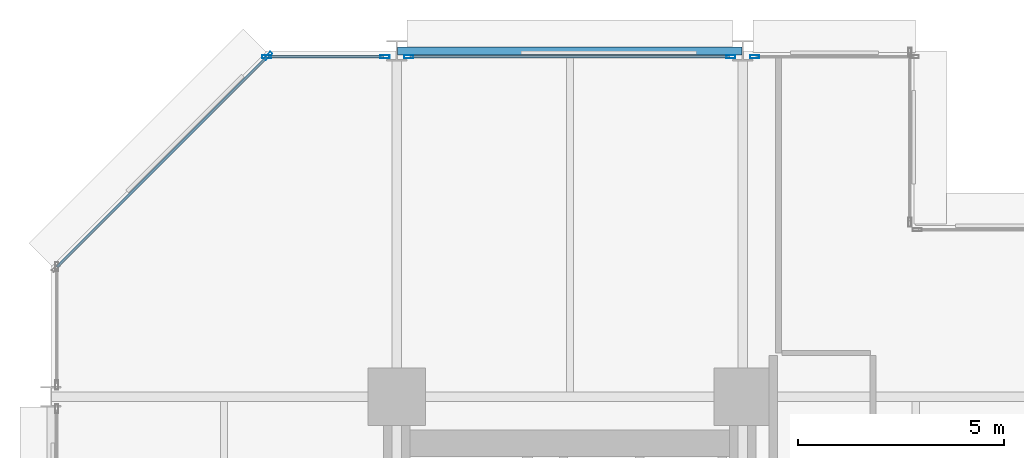
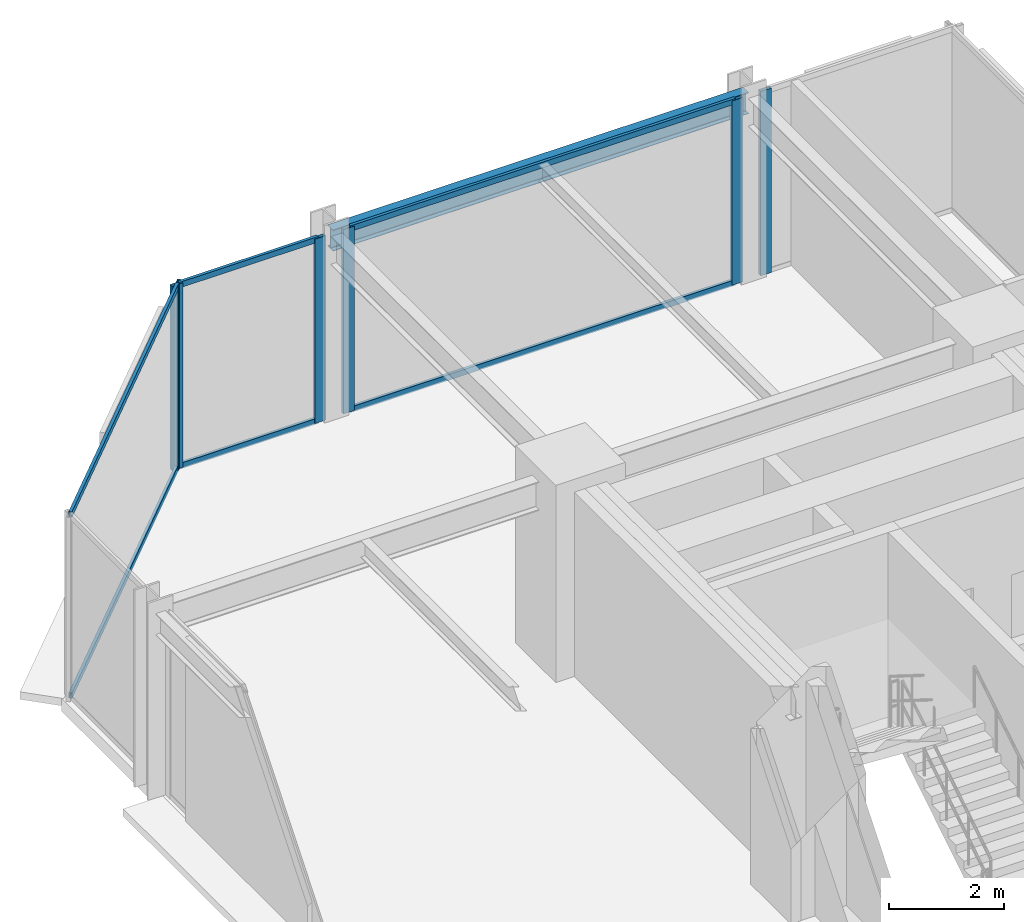
# One storey, part 17 of 25: 12 members, 1 beam, 4 elements without a shape of their own.
"""IFC4 building model written with IfcOpenShell, lengths in metres."""

from ifc_helpers import new_model, si_unit, direction, frame, origin, origin_2d, place, context, subcontext, project, spatial, hollow_rectangle, i_section, extrude, material, layer, layer_set, material_profile, profile_set, type_object, element, aggregate, save


model = new_model("IFC4")

# Units and contexts
model_context = context("Model", 3, precision=1e-05, world=origin(), true_north=direction((0.0, 1.0)))
body_context = subcontext(model_context, "Body", "Model", "MODEL_VIEW")
ifc_project = project(units=[si_unit("LENGTHUNIT", "METRE"), si_unit("AREAUNIT", "SQUARE_METRE"), si_unit("VOLUMEUNIT", "CUBIC_METRE"), si_unit("PLANEANGLEUNIT", "RADIAN"), si_unit("MASSUNIT", "GRAM", prefix="KILO")], contexts=[model_context])

# Site, building, storey
site_placement = place(None, origin())
site = spatial("IfcSite", under=ifc_project, at=site_placement, CompositionType="ELEMENT")
building_placement = place(site_placement, origin())
building = spatial("IfcBuilding", under=site, at=building_placement, Name="Nerrivon Quay Data Exchange", CompositionType="ELEMENT")
storey_placement = place(building_placement, frame((0.0, 0.0, 41.60009765625)))
storey = spatial("IfcBuildingStorey", under=building, at=storey_placement, Name="L09", CompositionType="ELEMENT", Elevation=41.60009765625)

# Beam
ifc_material_1 = material(Name="Steel Grade 350", Category="steel")
ifc_material_profile_1 = material_profile(ifc_material_1, i_section(OverallWidth=0.18994140625, OverallDepth=0.4541015625, WebThickness=0.008544921875, FlangeThickness=0.0126953125, FilletRadius=0.011474609375, at=origin_2d()), Name="460UB67.1")
ifc_profile_set_1 = profile_set([ifc_material_profile_1], Name="Steel Grade 350")
beam_type = type_object("IfcBeamType", Name="BM-SP1-460UB67", PredefinedType="SPANDREL", material=ifc_profile_set_1)
beam_placement = place(storey_placement, frame((8.4140625, 50.39990234375, 3.697998046875), z_axis=(1.0, 0.0, 0.0), x_axis=(0.0, 1.0, 0.0)))
element("IfcBeam", 1, at=beam_placement, inside=storey, type_object=beam_type, Name="L09 EW Girder Y=50.4 (8.4..16.8)", PredefinedType="SPANDREL", context=body_context, shape_type="SweptSolid", body=[
    extrude(i_section(OverallWidth=0.18994140625, OverallDepth=0.4541015625, WebThickness=0.008544921875, FlangeThickness=0.0126953125, FilletRadius=0.011474609375, at=origin_2d()), origin(), (0.0, 0.0, 1.0), 8.371826171875),
])

# Curtain wall, member
ifc_material_2 = material(Name="Anodised aluminium 6063-T6", Category="aluminium")
ifc_layer = layer(ifc_material_2, 0.219970703125)
ifc_layer_set = layer_set([ifc_layer], Name="Anodised aluminium 6063-T6")
curtain_wall_type = type_object("IfcCurtainWallType", Name="CW-SYS-01", PredefinedType="NOTDEFINED", material=ifc_layer_set)
curtain_wall_1_placement = place(storey_placement, origin())
curtain_wall_1 = element("IfcCurtainWall", 2, at=curtain_wall_1_placement, inside=storey, type_object=curtain_wall_type, Name="L09 Unitised Curtain Wall 19", PredefinedType="NOTDEFINED")
ifc_material_profile_2 = material_profile(ifc_material_2, hollow_rectangle(XDim=0.074951171875, YDim=0.219970703125, WallThickness=0.00390625, at=origin_2d()), Name="ALU-MULL-220x75")
ifc_profile_set_2 = profile_set([ifc_material_profile_2], Name="Anodised aluminium 6063-T6")
member_type_1 = type_object("IfcMemberType", Name="CWM-220x75", PredefinedType="MULLION", material=ifc_profile_set_2)
member_1_placement = place(storey_placement, frame((5.2724609375, 50.2744140625, 0.0), z_axis=(0.0, 0.0, 1.0), x_axis=(-0.707106781187, 0.707106781187, 0.0)))
member_1 = element("IfcMember", 3, at=member_1_placement, type_object=member_type_1, Name="CW01 mullion 2", PredefinedType="MULLION", context=body_context, shape_type="SweptSolid", body=[
    extrude(hollow_rectangle(XDim=0.074951171875, YDim=0.219970703125, WallThickness=0.00390625, at=origin_2d()), origin(), (0.0, 0.0, 1.0), 3.9248046875),
])

# Curtain wall, members
curtain_wall_2_placement = place(storey_placement, origin())
curtain_wall_2 = element("IfcCurtainWall", 4, at=curtain_wall_2_placement, inside=storey, type_object=curtain_wall_type, Name="L09 Unitised Curtain Wall 20", PredefinedType="NOTDEFINED")
member_2_placement = place(storey_placement, frame((5.237548828125, 50.260009765625, 0.0), z_axis=(0.0, 0.0, 1.0), x_axis=(0.0, 1.0, 0.0)))
member_2 = element("IfcMember", 5, at=member_2_placement, type_object=member_type_1, Name="CW01 mullion 1", PredefinedType="MULLION", context=body_context, shape_type="SweptSolid", body=[
    extrude(hollow_rectangle(XDim=0.074951171875, YDim=0.219970703125, WallThickness=0.00390625, at=origin_2d()), origin(), (0.0, 0.0, 1.0), 3.9248046875),
])
member_3_placement = place(storey_placement, frame((8.112548828125, 50.260009765625, 0.0), z_axis=(0.0, 0.0, 1.0), x_axis=(0.0, 1.0, 0.0)))
member_3 = element("IfcMember", 6, at=member_3_placement, type_object=member_type_1, Name="CW01 mullion 2", PredefinedType="MULLION", context=body_context, shape_type="SweptSolid", body=[
    extrude(hollow_rectangle(XDim=0.074951171875, YDim=0.219970703125, WallThickness=0.00390625, at=origin_2d()), origin(), (0.0, 0.0, 1.0), 3.9248046875),
])

curtain_wall_3_placement = place(storey_placement, origin())
curtain_wall_3 = element("IfcCurtainWall", 7, at=curtain_wall_3_placement, inside=storey, type_object=curtain_wall_type, Name="L09 Unitised Curtain Wall 21", PredefinedType="NOTDEFINED")
member_4_placement = place(storey_placement, frame((8.6875, 50.260009765625, 0.0), z_axis=(0.0, 0.0, 1.0), x_axis=(0.0, 1.0, 0.0)))
member_4 = element("IfcMember", 8, at=member_4_placement, type_object=member_type_1, Name="CW01 mullion 1", PredefinedType="MULLION", context=body_context, shape_type="SweptSolid", body=[
    extrude(hollow_rectangle(XDim=0.074951171875, YDim=0.219970703125, WallThickness=0.00390625, at=origin_2d()), origin(), (0.0, 0.0, 1.0), 3.9248046875),
])
member_5_placement = place(storey_placement, frame((16.512451171875, 50.260009765625, 0.0), z_axis=(0.0, 0.0, 1.0), x_axis=(0.0, 1.0, 0.0)))
member_5 = element("IfcMember", 9, at=member_5_placement, type_object=member_type_1, Name="CW01 mullion 2", PredefinedType="MULLION", context=body_context, shape_type="SweptSolid", body=[
    extrude(hollow_rectangle(XDim=0.074951171875, YDim=0.219970703125, WallThickness=0.00390625, at=origin_2d()), origin(), (0.0, 0.0, 1.0), 3.9248046875),
])

# Curtain wall, member
curtain_wall_4_placement = place(storey_placement, origin())
curtain_wall_4 = element("IfcCurtainWall", 10, at=curtain_wall_4_placement, inside=storey, type_object=curtain_wall_type, Name="L09 Unitised Curtain Wall 22", PredefinedType="NOTDEFINED")
member_6_placement = place(storey_placement, frame((17.08740234375, 50.260009765625, 0.0), z_axis=(0.0, 0.0, 1.0), x_axis=(0.0, 1.0, 0.0)))
member_6 = element("IfcMember", 11, at=member_6_placement, type_object=member_type_1, Name="CW01 mullion 1", PredefinedType="MULLION", context=body_context, shape_type="SweptSolid", body=[
    extrude(hollow_rectangle(XDim=0.074951171875, YDim=0.219970703125, WallThickness=0.00390625, at=origin_2d()), origin(), (0.0, 0.0, 1.0), 3.9248046875),
])
aggregate(curtain_wall_4, [member_6])

# Member
ifc_material_profile_3 = material_profile(ifc_material_2, hollow_rectangle(XDim=0.06005859375, YDim=0.1201171875, WallThickness=0.003173828125, at=origin_2d()), Name="ALU-TRAN-120x60")
ifc_profile_set_3 = profile_set([ifc_material_profile_3], Name="Anodised aluminium 6063-T6")
member_type_2 = type_object("IfcMemberType", Name="CWT-120x60", PredefinedType="USERDEFINED", material=ifc_profile_set_3)
member_7_placement = place(storey_placement, frame((0.152099609375, 45.154052734375, 0.032470703125), z_axis=(0.707089835771, 0.707123726196, 0.0), x_axis=(-0.707123726196, 0.707089835771, 0.0)))
member_7 = element("IfcMember", 12, at=member_7_placement, type_object=member_type_2, Name="CW01 transom 1.1", ObjectType="TRANSOM", PredefinedType="USERDEFINED", context=body_context, shape_type="SweptSolid", body=[
    extrude(hollow_rectangle(XDim=0.06005859375, YDim=0.1201171875, WallThickness=0.003173828125, at=origin_2d()), origin(), (0.0, 0.0, 1.0), 7.203857421875),
])

member_8_placement = place(storey_placement, frame((0.152099609375, 45.154052734375, 3.892333984375), z_axis=(0.707089835771, 0.707123726196, 0.0), x_axis=(-0.707123726196, 0.707089835771, 0.0)))
member_8 = element("IfcMember", 13, at=member_8_placement, type_object=member_type_2, Name="CW01 transom 1.2", ObjectType="TRANSOM", PredefinedType="USERDEFINED", context=body_context, shape_type="SweptSolid", body=[
    extrude(hollow_rectangle(XDim=0.06005859375, YDim=0.1201171875, WallThickness=0.003173828125, at=origin_2d()), origin(), (0.0, 0.0, 1.0), 7.203857421875),
])

aggregate(curtain_wall_1, [member_1, member_7, member_8])

member_9_placement = place(storey_placement, frame((5.27490234375, 50.260009765625, 0.032470703125), z_axis=(1.0, 0.0, 0.0), x_axis=(0.0, 1.0, 0.0)))
member_9 = element("IfcMember", 14, at=member_9_placement, type_object=member_type_2, Name="CW01 transom 1.1", ObjectType="TRANSOM", PredefinedType="USERDEFINED", context=body_context, shape_type="SweptSolid", body=[
    extrude(hollow_rectangle(XDim=0.06005859375, YDim=0.1201171875, WallThickness=0.003173828125, at=origin_2d()), origin(), (0.0, 0.0, 1.0), 2.800048828125),
])

member_10_placement = place(storey_placement, frame((5.27490234375, 50.260009765625, 3.892333984375), z_axis=(1.0, 0.0, 0.0), x_axis=(0.0, 1.0, 0.0)))
member_10 = element("IfcMember", 15, at=member_10_placement, type_object=member_type_2, Name="CW01 transom 1.2", ObjectType="TRANSOM", PredefinedType="USERDEFINED", context=body_context, shape_type="SweptSolid", body=[
    extrude(hollow_rectangle(XDim=0.06005859375, YDim=0.1201171875, WallThickness=0.003173828125, at=origin_2d()), origin(), (0.0, 0.0, 1.0), 2.800048828125),
])

aggregate(curtain_wall_2, [member_2, member_3, member_9, member_10])

member_11_placement = place(storey_placement, frame((8.72509765625, 50.260009765625, 0.032470703125), z_axis=(1.0, 0.0, 0.0), x_axis=(0.0, 1.0, 0.0)))
member_11 = element("IfcMember", 16, at=member_11_placement, type_object=member_type_2, Name="CW01 transom 1.1", ObjectType="TRANSOM", PredefinedType="USERDEFINED", context=body_context, shape_type="SweptSolid", body=[
    extrude(hollow_rectangle(XDim=0.06005859375, YDim=0.1201171875, WallThickness=0.003173828125, at=origin_2d()), origin(), (0.0, 0.0, 1.0), 7.75),
])

member_12_placement = place(storey_placement, frame((8.72509765625, 50.260009765625, 3.892333984375), z_axis=(1.0, 0.0, 0.0), x_axis=(0.0, 1.0, 0.0)))
member_12 = element("IfcMember", 17, at=member_12_placement, type_object=member_type_2, Name="CW01 transom 1.2", ObjectType="TRANSOM", PredefinedType="USERDEFINED", context=body_context, shape_type="SweptSolid", body=[
    extrude(hollow_rectangle(XDim=0.06005859375, YDim=0.1201171875, WallThickness=0.003173828125, at=origin_2d()), origin(), (0.0, 0.0, 1.0), 7.75),
])

aggregate(curtain_wall_3, [member_4, member_5, member_11, member_12])

save(model, "model.ifc")
